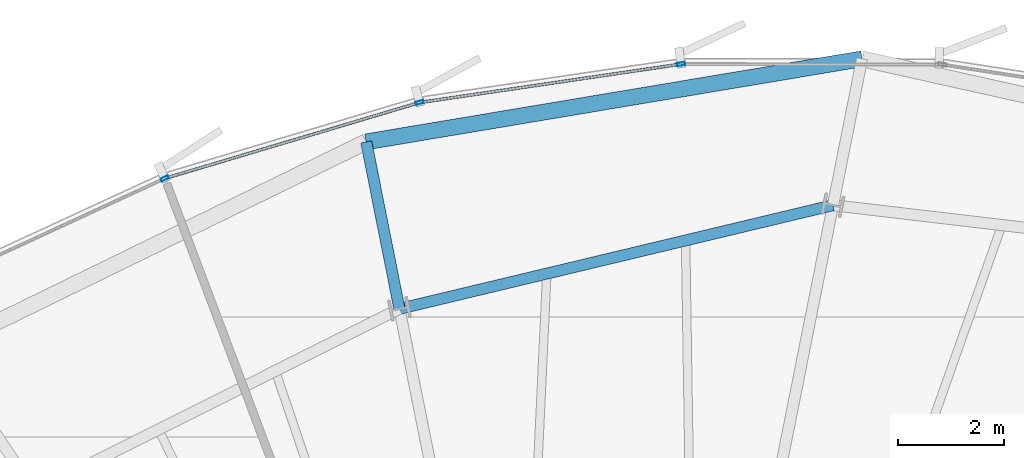
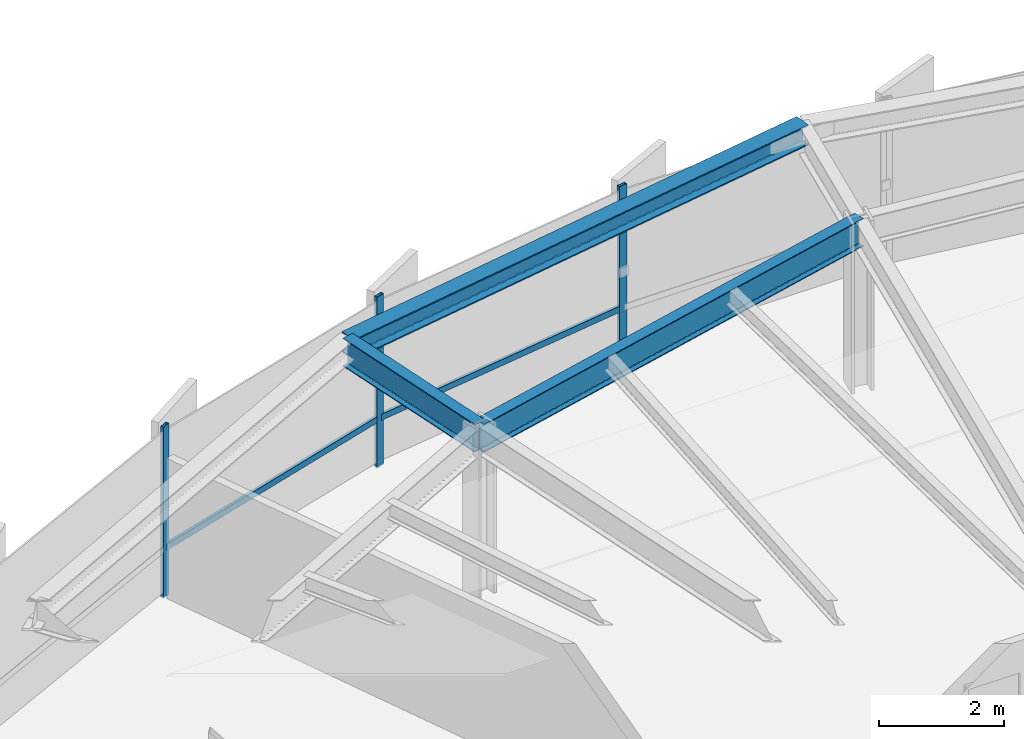
# One storey, part 21 of 33: 5 members, 3 beams, 1 element without a shape of its own.
"""IFC4 building model written with IfcOpenShell, lengths in metres."""

from ifc_helpers import new_model, si_unit, direction, frame, origin, origin_2d, place, context, subcontext, project, spatial, hollow_rectangle, i_section, extrude, source, transform, mapped, material, layer, layer_set, material_profile, profile_set, type_object, element, aggregate, save


model = new_model("IFC4")

# Units and contexts
model_context = context("Model", 3, precision=1e-05, world=origin(), true_north=direction((0.0, 1.0)))
body_context = subcontext(model_context, "Body", "Model", "MODEL_VIEW")
ifc_project = project(units=[si_unit("LENGTHUNIT", "METRE"), si_unit("AREAUNIT", "SQUARE_METRE"), si_unit("VOLUMEUNIT", "CUBIC_METRE"), si_unit("PLANEANGLEUNIT", "RADIAN"), si_unit("MASSUNIT", "GRAM", prefix="KILO"), si_unit("THERMODYNAMICTEMPERATUREUNIT", "KELVIN")], contexts=[model_context])

# Site, building, storey
site_placement = place(None, origin())
site = spatial("IfcSite", under=ifc_project, at=site_placement, CompositionType="ELEMENT")
building_placement = place(site_placement, origin())
building = spatial("IfcBuilding", under=site, at=building_placement, Name="Kethvar Cultural Tower", CompositionType="ELEMENT")
storey_placement = place(building_placement, frame((0.0, 0.0, 118.0)))
storey = spatial("IfcBuildingStorey", under=building, at=storey_placement, Name="L29", CompositionType="ELEMENT", Elevation=118.0)

# Beams
ifc_material_1 = material(Name="Steel S355J2", Category="steel")
ifc_material_profile_1 = material_profile(ifc_material_1, i_section(OverallWidth=0.2099609375, OverallDepth=0.550048828125, WebThickness=0.010986328125, FlangeThickness=0.01708984375, FilletRadius=0.02392578125, at=origin_2d()), Name="Steel S355J2 — IPE550")
ifc_profile_set_1 = profile_set([ifc_material_profile_1], Name="Steel S355J2 — IPE550")
beam_type_1 = type_object("IfcBeamType", Name="BM-IPE550", PredefinedType="BEAM", material=ifc_profile_set_1)
shared_shape_1 = source(origin(), body_context, "Body", "SweptSolid", [
    extrude(i_section(OverallWidth=0.2099609375, OverallDepth=0.550048828125, WebThickness=0.010986328125, FlangeThickness=0.01708984375, FilletRadius=0.02392578125, at=origin_2d()), origin(), (0.0, 0.0, 1.0), 3.199951171875),
])
beam_1_placement = place(storey_placement, frame((42.9189453125, 47.311279296875, 3.072998046875), z_axis=(-0.195088965533, 0.980785550224, 0.0), x_axis=(-0.980785550224, -0.195088965533, 0.0)))
element("IfcBeam", 1, at=beam_1_placement, inside=storey, type_object=beam_type_1, Name="L29 Perimeter Cantilever Beam RC-05", PredefinedType="BEAM", context=body_context, shape_type="MappedRepresentation", body=[
    mapped(shared_shape_1, transform((0.0, 0.0, 0.0), scale=1.0)),
])
shared_shape_2 = source(origin(), body_context, "Body", "SweptSolid", [
    extrude(i_section(OverallWidth=0.2099609375, OverallDepth=0.550048828125, WebThickness=0.010986328125, FlangeThickness=0.01708984375, FilletRadius=0.02392578125, at=origin_2d()), origin(), (0.0, 0.0, 1.0), 8.379150390625),
])
beam_2_placement = place(storey_placement, frame((51.068603515625, 49.25927734375, 3.072998046875), z_axis=(-0.972601380857, -0.232479147355, 0.0), x_axis=(0.232479147355, -0.972601380857, 0.0)))
element("IfcBeam", 2, at=beam_2_placement, inside=storey, type_object=beam_type_1, Name="L29 Column Ring Tie Beam CR-04", PredefinedType="BEAM", context=body_context, shape_type="MappedRepresentation", body=[
    mapped(shared_shape_2, transform((0.0, 0.0, 0.0), scale=1.0)),
])
ifc_material_profile_2 = material_profile(ifc_material_1, i_section(OverallWidth=0.300048828125, OverallDepth=0.39990234375, WebThickness=0.013427734375, FlangeThickness=0.02392578125, FilletRadius=0.027099609375, at=origin_2d()), Name="Steel S355J2 — HEB400")
ifc_profile_set_2 = profile_set([ifc_material_profile_2], Name="Steel S355J2 — HEB400")
beam_type_2 = type_object("IfcBeamType", Name="BM-SP400", PredefinedType="SPANDREL", material=ifc_profile_set_2)
shared_shape_3 = source(origin(), body_context, "Body", "SweptSolid", [
    extrude(i_section(OverallWidth=0.300048828125, OverallDepth=0.39990234375, WebThickness=0.013427734375, FlangeThickness=0.02392578125, FilletRadius=0.027099609375, at=origin_2d()), origin(), (0.0, 0.0, 1.0), 9.451171875),
])
beam_3_placement = place(storey_placement, frame((51.615966796875, 52.011474609375, 3.14794921875), z_axis=(-0.986252534034, -0.16524508801, 0.0), x_axis=(0.16524508801, -0.986252534034, 0.0)))
element("IfcBeam", 3, at=beam_3_placement, inside=storey, type_object=beam_type_2, Name="L29 Perimeter Spandrel Beam SP-04", PredefinedType="SPANDREL", context=body_context, shape_type="MappedRepresentation", body=[
    mapped(shared_shape_3, transform((0.0, 0.0, 0.0), scale=1.0)),
])

# Curtain wall, members
ifc_material_2 = material(Name="Aluminium 6063-T6", Category="aluminium")
ifc_layer = layer(ifc_material_2, 0.179931640625, Name="Aluminium 6063-T6", Category="aluminium")
ifc_layer_set = layer_set([ifc_layer], Name="Aluminium 6063-T6 (180 mm)")
curtain_wall_type = type_object("IfcCurtainWallType", Name="CW-SYS-03-Z2", PredefinedType="NOTDEFINED", material=ifc_layer_set)
curtain_wall_placement = place(storey_placement, origin())
curtain_wall = element("IfcCurtainWall", 4, at=curtain_wall_placement, inside=storey, type_object=curtain_wall_type, Name="L29 Curtain Wall Run 02", PredefinedType="NOTDEFINED")
ifc_material_profile_3 = material_profile(ifc_material_2, hollow_rectangle(XDim=0.06005859375, YDim=0.14990234375, WallThickness=0.0048828125, at=origin_2d()), Name="Aluminium 6063-T6 — RHS150x60x5")
ifc_profile_set_3 = profile_set([ifc_material_profile_3], Name="Aluminium 6063-T6 — RHS150x60x5")
member_type_1 = type_object("IfcMemberType", Name="CW-SYS-03-Z2-MUL", PredefinedType="MULLION", material=ifc_profile_set_3)
shared_shape_4 = source(origin(), body_context, "Body", "SweptSolid", [
    extrude(hollow_rectangle(XDim=0.06005859375, YDim=0.14990234375, WallThickness=0.0048828125, at=origin_2d()), origin(), (0.0, 0.0, 1.0), 3.35009765625),
])
member_1_placement = place(storey_placement, frame((48.21337890625, 51.91162109375, 0.0), z_axis=(0.0, 0.0, 1.0), x_axis=(0.145495956856, -0.989358846192, 0.0)))
member_1 = element("IfcMember", 5, at=member_1_placement, type_object=member_type_1, Name="CW-L29-R02 Mullion 2", PredefinedType="MULLION", context=body_context, shape_type="MappedRepresentation", body=[
    mapped(shared_shape_4, transform((0.0, 0.0, 0.0), scale=1.0)),
])
member_2_placement = place(storey_placement, frame((43.300048828125, 51.1904296875, 0.0), z_axis=(0.0, 0.0, 1.0), x_axis=(0.285721818999, -0.958312601476, 0.0)))
member_2 = element("IfcMember", 6, at=member_2_placement, type_object=member_type_1, Name="CW-L29-R02 Mullion 3", PredefinedType="MULLION", context=body_context, shape_type="MappedRepresentation", body=[
    mapped(shared_shape_4, transform((0.0, 0.0, 0.0), scale=1.0)),
])
member_3_placement = place(storey_placement, frame((38.509521484375, 49.76318359375, 0.0), z_axis=(0.0, 0.0, 1.0), x_axis=(0.419483769602, -0.90776283634, 0.0)))
member_3 = element("IfcMember", 7, at=member_3_placement, type_object=member_type_1, Name="CW-L29-R02 Mullion 4", PredefinedType="MULLION", context=body_context, shape_type="MappedRepresentation", body=[
    mapped(shared_shape_4, transform((0.0, 0.0, 0.0), scale=1.0)),
])
ifc_material_profile_4 = material_profile(ifc_material_2, hollow_rectangle(XDim=0.054931640625, YDim=0.1201171875, WallThickness=0.00390625, at=origin_2d()), Name="Aluminium 6063-T6 — RHS120x55x4")
ifc_profile_set_4 = profile_set([ifc_material_profile_4], Name="Aluminium 6063-T6 — RHS120x55x4")
member_type_2 = type_object("IfcMemberType", Name="CW-SYS-03-Z2-TRN", PredefinedType="USERDEFINED", material=ifc_profile_set_4)
shared_shape_5 = source(origin(), body_context, "Body", "SweptSolid", [
    extrude(hollow_rectangle(XDim=0.054931640625, YDim=0.1201171875, WallThickness=0.00390625, at=origin_2d()), origin(), (0.0, 0.0, 1.0), 4.89599609375),
])
member_4_placement = place(storey_placement, frame((48.170654296875, 51.905517578125, 0.949951171875), z_axis=(-0.98935765754, -0.145504039348, 0.0), x_axis=(0.145504039348, -0.98935765754, 0.0)))
member_4 = element("IfcMember", 8, at=member_4_placement, type_object=member_type_2, Name="CW-L29-R02 Transom 2", ObjectType="TRANSOM", PredefinedType="USERDEFINED", context=body_context, shape_type="MappedRepresentation", body=[
    mapped(shared_shape_5, transform((0.0, 0.0, 0.0), scale=1.0)),
])
shared_shape_6 = source(origin(), body_context, "Body", "SweptSolid", [
    extrude(hollow_rectangle(XDim=0.054931640625, YDim=0.1201171875, WallThickness=0.00390625, at=origin_2d()), origin(), (0.0, 0.0, 1.0), 4.9287109375),
])
member_5_placement = place(storey_placement, frame((43.2587890625, 51.177978515625, 0.949951171875), z_axis=(-0.958312986801, -0.285720526614, 0.0), x_axis=(0.285720526614, -0.958312986801, 0.0)))
member_5 = element("IfcMember", 9, at=member_5_placement, type_object=member_type_2, Name="CW-L29-R02 Transom 3", ObjectType="TRANSOM", PredefinedType="USERDEFINED", context=body_context, shape_type="MappedRepresentation", body=[
    mapped(shared_shape_6, transform((0.0, 0.0, 0.0), scale=1.0)),
])
aggregate(curtain_wall, [member_1, member_2, member_3, member_4, member_5])

save(model, "model.ifc")
